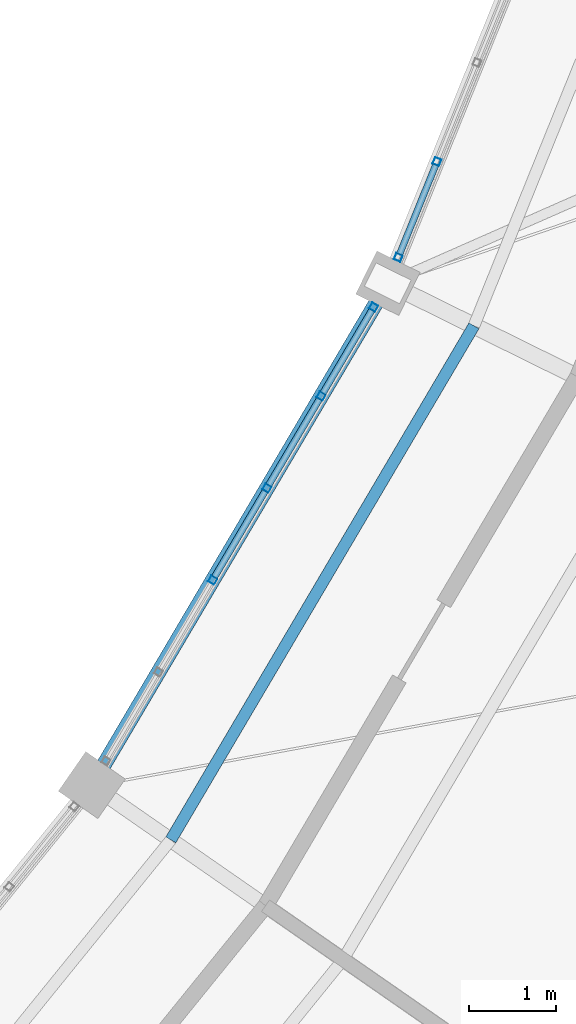
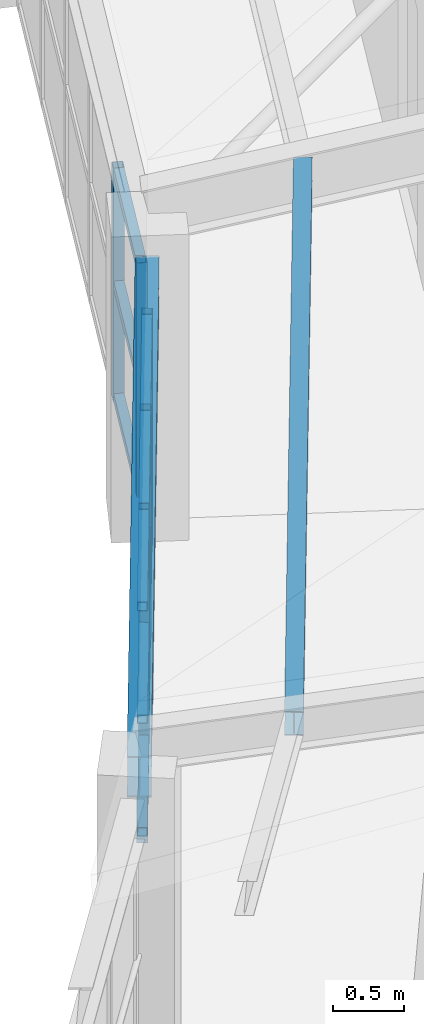
# One storey, part 54 of 149: 19 members, 1 beam, 2 elements without a shape of their own.
"""IFC4 building model written with IfcOpenShell, lengths in metres."""

from ifc_helpers import new_model, si_unit, direction, frame, origin, origin_2d, place, context, subcontext, project, spatial, hollow_rectangle, i_section, extrude, material, material_profile, profile_set, type_object, element, aggregate, save


model = new_model("IFC4")

# Units and contexts
model_context = context("Model", 3, precision=1e-05, world=origin(), true_north=direction((0.0, 1.0)))
body_context = subcontext(model_context, "Body", "Model", "MODEL_VIEW")
ifc_project = project(units=[si_unit("LENGTHUNIT", "METRE"), si_unit("AREAUNIT", "SQUARE_METRE"), si_unit("VOLUMEUNIT", "CUBIC_METRE"), si_unit("PLANEANGLEUNIT", "RADIAN"), si_unit("MASSUNIT", "GRAM", prefix="KILO")], contexts=[model_context])

# Site, building, storey
site_placement = place(None, origin())
site = spatial("IfcSite", under=ifc_project, at=site_placement, CompositionType="ELEMENT")
building_placement = place(site_placement, origin())
building = spatial("IfcBuilding", under=site, at=building_placement, Name="Celadon Cloister-Ring School", CompositionType="ELEMENT")
storey_placement = place(building_placement, frame((0.0, 0.0, 12.5)))
storey = spatial("IfcBuildingStorey", under=building, at=storey_placement, Name="L03", CompositionType="ELEMENT", Elevation=12.5)

# Curtain wall, members
ifc_material_1 = material(Name="Aluminium EN AW-6063 T6", Category="aluminium")
curtain_wall_type = type_object("IfcCurtainWallType", Name="CW-02", PredefinedType="USERDEFINED", material=ifc_material_1)
curtain_wall_1_placement = place(storey_placement, origin())
curtain_wall_1 = element("IfcCurtainWall", 1, at=curtain_wall_1_placement, inside=storey, type_object=curtain_wall_type, Name="Curtain Wall 0068", ObjectType="CURTAIN WALL", PredefinedType="USERDEFINED")
ifc_material_2 = material(Name="Aluminium EN AW-6063 T6", Category="aluminium")
ifc_material_profile_1 = material_profile(ifc_material_2, hollow_rectangle(XDim=0.080078125, YDim=0.080078125, WallThickness=0.00390625, at=origin_2d()), Name="RHS80X80X4")
ifc_profile_set_1 = profile_set([ifc_material_profile_1], Name="Aluminium EN AW-6063 T6")
member_type_1 = type_object("IfcMemberType", Name="CM-03", PredefinedType="MULLION", material=ifc_profile_set_1)
member_1_placement = place(storey_placement, frame((125.34521484375, 35.67822265625, 0.0), z_axis=(0.0, 0.0, 1.0), x_axis=(-0.861424661152, 0.507885374036, 0.0)))
member_1 = element("IfcMember", 2, at=member_1_placement, type_object=member_type_1, Name="CW-02 mullion 3", PredefinedType="MULLION", context=body_context, shape_type="SweptSolid", body=[
    extrude(hollow_rectangle(XDim=0.080078125, YDim=0.080078125, WallThickness=0.00390625, at=origin_2d()), origin(), (0.0, 0.0, 1.0), 2.02001953125),
])
member_2_placement = place(storey_placement, frame((125.9658203125, 36.730712890625, 0.0), z_axis=(0.0, 0.0, 1.0), x_axis=(-0.861424661152, 0.507885374036, 0.0)))
member_2 = element("IfcMember", 3, at=member_2_placement, type_object=member_type_1, Name="CW-02 mullion 4", PredefinedType="MULLION", context=body_context, shape_type="SweptSolid", body=[
    extrude(hollow_rectangle(XDim=0.080078125, YDim=0.080078125, WallThickness=0.00390625, at=origin_2d()), origin(), (0.0, 0.0, 1.0), 2.02001953125),
])
member_3_placement = place(storey_placement, frame((126.58642578125, 37.783447265625, 0.0), z_axis=(0.0, 0.0, 1.0), x_axis=(-0.861424661152, 0.507885374036, 0.0)))
member_3 = element("IfcMember", 4, at=member_3_placement, type_object=member_type_1, Name="CW-02 mullion 5", PredefinedType="MULLION", context=body_context, shape_type="SweptSolid", body=[
    extrude(hollow_rectangle(XDim=0.080078125, YDim=0.080078125, WallThickness=0.00390625, at=origin_2d()), origin(), (0.0, 0.0, 1.0), 2.02001953125),
])
member_4_placement = place(storey_placement, frame((127.186767578125, 38.801513671875, 0.0), z_axis=(0.0, 0.0, 1.0), x_axis=(-0.861424661152, 0.507885374036, 0.0)))
member_4 = element("IfcMember", 5, at=member_4_placement, type_object=member_type_1, Name="CW-02 mullion 6", PredefinedType="MULLION", context=body_context, shape_type="SweptSolid", body=[
    extrude(hollow_rectangle(XDim=0.080078125, YDim=0.080078125, WallThickness=0.00390625, at=origin_2d()), origin(), (0.0, 0.0, 1.0), 2.02001953125),
])

curtain_wall_2_placement = place(storey_placement, origin())
curtain_wall_2 = element("IfcCurtainWall", 6, at=curtain_wall_2_placement, inside=storey, type_object=curtain_wall_type, Name="Curtain Wall 0069", ObjectType="CURTAIN WALL", PredefinedType="USERDEFINED")
member_5_placement = place(storey_placement, frame((127.468994140625, 39.37109375, 0.0), z_axis=(0.0, 0.0, 1.0), x_axis=(-0.927036236266, 0.37497175447, 0.0)))
member_5 = element("IfcMember", 7, at=member_5_placement, type_object=member_type_1, Name="CW-02 mullion 1", PredefinedType="MULLION", context=body_context, shape_type="SweptSolid", body=[
    extrude(hollow_rectangle(XDim=0.080078125, YDim=0.080078125, WallThickness=0.00390625, at=origin_2d()), origin(), (0.0, 0.0, 1.0), 2.02001953125),
])
member_6_placement = place(storey_placement, frame((127.912109375, 40.466796875, 0.0), z_axis=(0.0, 0.0, 1.0), x_axis=(-0.927036236266, 0.37497175447, 0.0)))
member_6 = element("IfcMember", 8, at=member_6_placement, type_object=member_type_1, Name="CW-02 mullion 2", PredefinedType="MULLION", context=body_context, shape_type="SweptSolid", body=[
    extrude(hollow_rectangle(XDim=0.080078125, YDim=0.080078125, WallThickness=0.00390625, at=origin_2d()), origin(), (0.0, 0.0, 1.0), 2.02001953125),
])

# Member
ifc_material_3 = material(Name="Aluminium EN AW-6063 T6", Category="aluminium")
ifc_material_profile_2 = material_profile(ifc_material_3, hollow_rectangle(XDim=0.074951171875, YDim=0.074951171875, WallThickness=0.00390625, at=origin_2d()), Name="RHS75X75X4")
ifc_profile_set_2 = profile_set([ifc_material_profile_2], Name="Aluminium EN AW-6063 T6")
member_type_2 = type_object("IfcMemberType", Name="CTM-03", PredefinedType="USERDEFINED", material=ifc_profile_set_2)
member_7_placement = place(storey_placement, frame((125.365478515625, 35.712646484375, 0.03759765625), z_axis=(0.507972818033, 0.861373099266, 0.0), x_axis=(-0.861373099266, 0.507972818033, 0.0)))
member_7 = element("IfcMember", 9, at=member_7_placement, type_object=member_type_2, Name="CW-02 transom 3.1", ObjectType="TRANSOM", PredefinedType="USERDEFINED", context=body_context, shape_type="SweptSolid", body=[
    extrude(hollow_rectangle(XDim=0.074951171875, YDim=0.074951171875, WallThickness=0.00390625, at=origin_2d()), origin(), (0.0, 0.0, 1.0), 1.141845703125),
])

member_8_placement = place(storey_placement, frame((125.365478515625, 35.712646484375, 1.010009765625), z_axis=(0.507972818033, 0.861373099266, 0.0), x_axis=(-0.861373099266, 0.507972818033, 0.0)))
member_8 = element("IfcMember", 10, at=member_8_placement, type_object=member_type_2, Name="CW-02 transom 3.2", ObjectType="TRANSOM", PredefinedType="USERDEFINED", context=body_context, shape_type="SweptSolid", body=[
    extrude(hollow_rectangle(XDim=0.074951171875, YDim=0.074951171875, WallThickness=0.00390625, at=origin_2d()), origin(), (0.0, 0.0, 1.0), 1.141845703125),
])

member_9_placement = place(storey_placement, frame((125.365478515625, 35.712646484375, 1.982421875), z_axis=(0.507972818033, 0.861373099266, 0.0), x_axis=(-0.861373099266, 0.507972818033, 0.0)))
member_9 = element("IfcMember", 11, at=member_9_placement, type_object=member_type_2, Name="CW-02 transom 3.3", ObjectType="TRANSOM", PredefinedType="USERDEFINED", context=body_context, shape_type="SweptSolid", body=[
    extrude(hollow_rectangle(XDim=0.074951171875, YDim=0.074951171875, WallThickness=0.00390625, at=origin_2d()), origin(), (0.0, 0.0, 1.0), 1.141845703125),
])

member_10_placement = place(storey_placement, frame((125.986083984375, 36.76513671875, 0.03759765625), z_axis=(0.507879286135, 0.861428250474, 0.0), x_axis=(-0.861428250474, 0.507879286135, 0.0)))
member_10 = element("IfcMember", 12, at=member_10_placement, type_object=member_type_2, Name="CW-02 transom 4.1", ObjectType="TRANSOM", PredefinedType="USERDEFINED", context=body_context, shape_type="SweptSolid", body=[
    extrude(hollow_rectangle(XDim=0.074951171875, YDim=0.074951171875, WallThickness=0.00390625, at=origin_2d()), origin(), (0.0, 0.0, 1.0), 1.14208984375),
])

member_11_placement = place(storey_placement, frame((125.986083984375, 36.76513671875, 1.010009765625), z_axis=(0.507879286135, 0.861428250474, 0.0), x_axis=(-0.861428250474, 0.507879286135, 0.0)))
member_11 = element("IfcMember", 13, at=member_11_placement, type_object=member_type_2, Name="CW-02 transom 4.2", ObjectType="TRANSOM", PredefinedType="USERDEFINED", context=body_context, shape_type="SweptSolid", body=[
    extrude(hollow_rectangle(XDim=0.074951171875, YDim=0.074951171875, WallThickness=0.00390625, at=origin_2d()), origin(), (0.0, 0.0, 1.0), 1.14208984375),
])

member_12_placement = place(storey_placement, frame((125.986083984375, 36.76513671875, 1.982421875), z_axis=(0.507879286135, 0.861428250474, 0.0), x_axis=(-0.861428250474, 0.507879286135, 0.0)))
member_12 = element("IfcMember", 14, at=member_12_placement, type_object=member_type_2, Name="CW-02 transom 4.3", ObjectType="TRANSOM", PredefinedType="USERDEFINED", context=body_context, shape_type="SweptSolid", body=[
    extrude(hollow_rectangle(XDim=0.074951171875, YDim=0.074951171875, WallThickness=0.00390625, at=origin_2d()), origin(), (0.0, 0.0, 1.0), 1.14208984375),
])

member_13_placement = place(storey_placement, frame((126.606689453125, 37.81787109375, 0.03759765625), z_axis=(0.507833265178, 0.861455381769, 0.0), x_axis=(-0.861455381769, 0.507833265178, 0.0)))
member_13 = element("IfcMember", 15, at=member_13_placement, type_object=member_type_2, Name="CW-02 transom 5.1", ObjectType="TRANSOM", PredefinedType="USERDEFINED", context=body_context, shape_type="SweptSolid", body=[
    extrude(hollow_rectangle(XDim=0.074951171875, YDim=0.074951171875, WallThickness=0.00390625, at=origin_2d()), origin(), (0.0, 0.0, 1.0), 1.101806640625),
])

member_14_placement = place(storey_placement, frame((126.606689453125, 37.81787109375, 1.010009765625), z_axis=(0.507833265178, 0.861455381769, 0.0), x_axis=(-0.861455381769, 0.507833265178, 0.0)))
member_14 = element("IfcMember", 16, at=member_14_placement, type_object=member_type_2, Name="CW-02 transom 5.2", ObjectType="TRANSOM", PredefinedType="USERDEFINED", context=body_context, shape_type="SweptSolid", body=[
    extrude(hollow_rectangle(XDim=0.074951171875, YDim=0.074951171875, WallThickness=0.00390625, at=origin_2d()), origin(), (0.0, 0.0, 1.0), 1.101806640625),
])

member_15_placement = place(storey_placement, frame((126.606689453125, 37.81787109375, 1.982421875), z_axis=(0.507833265178, 0.861455381769, 0.0), x_axis=(-0.861455381769, 0.507833265178, 0.0)))
member_15 = element("IfcMember", 17, at=member_15_placement, type_object=member_type_2, Name="CW-02 transom 5.3", ObjectType="TRANSOM", PredefinedType="USERDEFINED", context=body_context, shape_type="SweptSolid", body=[
    extrude(hollow_rectangle(XDim=0.074951171875, YDim=0.074951171875, WallThickness=0.00390625, at=origin_2d()), origin(), (0.0, 0.0, 1.0), 1.101806640625),
])

aggregate(curtain_wall_1, [member_1, member_2, member_3, member_4, member_7, member_8, member_9, member_10, member_11, member_12, member_13, member_14, member_15])

member_16_placement = place(storey_placement, frame((127.48388671875, 39.408203125, 0.03759765625), z_axis=(0.375093039512, 0.926987169118, 0.0), x_axis=(-0.926987169118, 0.375093039512, 0.0)))
member_16 = element("IfcMember", 18, at=member_16_placement, type_object=member_type_2, Name="CW-02 transom 1.1", ObjectType="TRANSOM", PredefinedType="USERDEFINED", context=body_context, shape_type="SweptSolid", body=[
    extrude(hollow_rectangle(XDim=0.074951171875, YDim=0.074951171875, WallThickness=0.00390625, at=origin_2d()), origin(), (0.0, 0.0, 1.0), 1.10205078125),
])

member_17_placement = place(storey_placement, frame((127.48388671875, 39.408203125, 1.010009765625), z_axis=(0.375093039512, 0.926987169118, 0.0), x_axis=(-0.926987169118, 0.375093039512, 0.0)))
member_17 = element("IfcMember", 19, at=member_17_placement, type_object=member_type_2, Name="CW-02 transom 1.2", ObjectType="TRANSOM", PredefinedType="USERDEFINED", context=body_context, shape_type="SweptSolid", body=[
    extrude(hollow_rectangle(XDim=0.074951171875, YDim=0.074951171875, WallThickness=0.00390625, at=origin_2d()), origin(), (0.0, 0.0, 1.0), 1.10205078125),
])

member_18_placement = place(storey_placement, frame((127.48388671875, 39.408203125, 1.982421875), z_axis=(0.375093039512, 0.926987169118, 0.0), x_axis=(-0.926987169118, 0.375093039512, 0.0)))
member_18 = element("IfcMember", 20, at=member_18_placement, type_object=member_type_2, Name="CW-02 transom 1.3", ObjectType="TRANSOM", PredefinedType="USERDEFINED", context=body_context, shape_type="SweptSolid", body=[
    extrude(hollow_rectangle(XDim=0.074951171875, YDim=0.074951171875, WallThickness=0.00390625, at=origin_2d()), origin(), (0.0, 0.0, 1.0), 1.10205078125),
])

aggregate(curtain_wall_2, [member_5, member_6, member_16, member_17, member_18])

# Beam
ifc_material_4 = material(Name="Structural steel S355JR", Category="steel")
ifc_material_profile_3 = material_profile(ifc_material_4, i_section(OverallWidth=0.1708984375, OverallDepth=0.35498046875, WebThickness=0.007080078125, FlangeThickness=0.01171875, at=origin_2d()), Name="W360X51")
ifc_profile_set_3 = profile_set([ifc_material_profile_3], Name="Structural steel S355JR")
beam_type = type_object("IfcBeamType", Name="GT-08", PredefinedType="USERDEFINED", material=ifc_profile_set_3)
beam_placement = place(storey_placement, frame((124.089111328125, 33.548095703125, 2.27197265625), z_axis=(0.507926281774, 0.861400541144, 0.0), x_axis=(-0.861400541144, 0.507926281774, 0.0)))
element("IfcBeam", 21, at=beam_placement, inside=storey, type_object=beam_type, Name="Beam 0570", ObjectType="GIRDER", PredefinedType="USERDEFINED", context=body_context, shape_type="SweptSolid", body=[
    extrude(i_section(OverallWidth=0.1708984375, OverallDepth=0.35498046875, WebThickness=0.007080078125, FlangeThickness=0.01171875, at=origin_2d()), origin(), (0.0, 0.0, 1.0), 6.16796875),
])

# Member
ifc_material_5 = material(Name="Structural steel S355JR", Category="steel")
ifc_material_profile_4 = material_profile(ifc_material_5, i_section(OverallWidth=0.133056640625, OverallDepth=0.20703125, WebThickness=0.005859375, FlangeThickness=0.00830078125, at=origin_2d()), Name="W200X27")
ifc_profile_set_4 = profile_set([ifc_material_profile_4], Name="Structural steel S355JR")
member_type_3 = type_object("IfcMemberType", Name="MP-04", PredefinedType="PURLIN", material=ifc_profile_set_4)
member_19_placement = place(storey_placement, frame((124.865966796875, 32.7060546875, 2.970947265625), z_axis=(0.507930613581, 0.861397986872, 0.0), x_axis=(-0.861397986872, 0.507930613581, 0.0)))
element("IfcMember", 22, at=member_19_placement, inside=storey, type_object=member_type_3, Name="Structural Member 0200", PredefinedType="PURLIN", context=body_context, shape_type="SweptSolid", body=[
    extrude(i_section(OverallWidth=0.133056640625, OverallDepth=0.20703125, WebThickness=0.005859375, FlangeThickness=0.00830078125, at=origin_2d()), origin(), (0.0, 0.0, 1.0), 6.82958984375),
])

save(model, "model.ifc")
